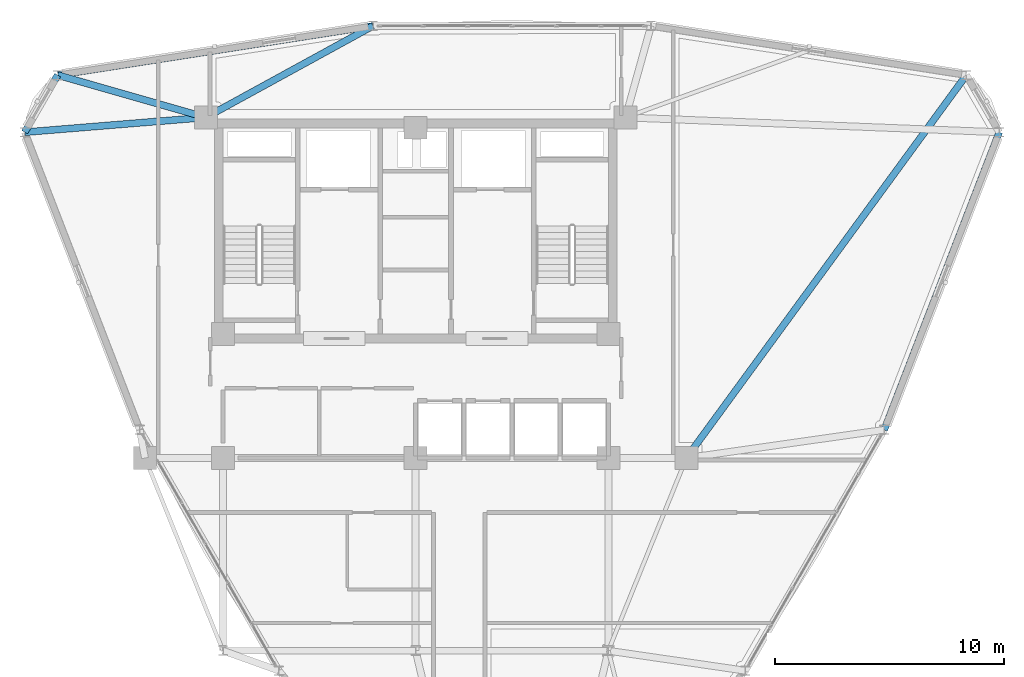
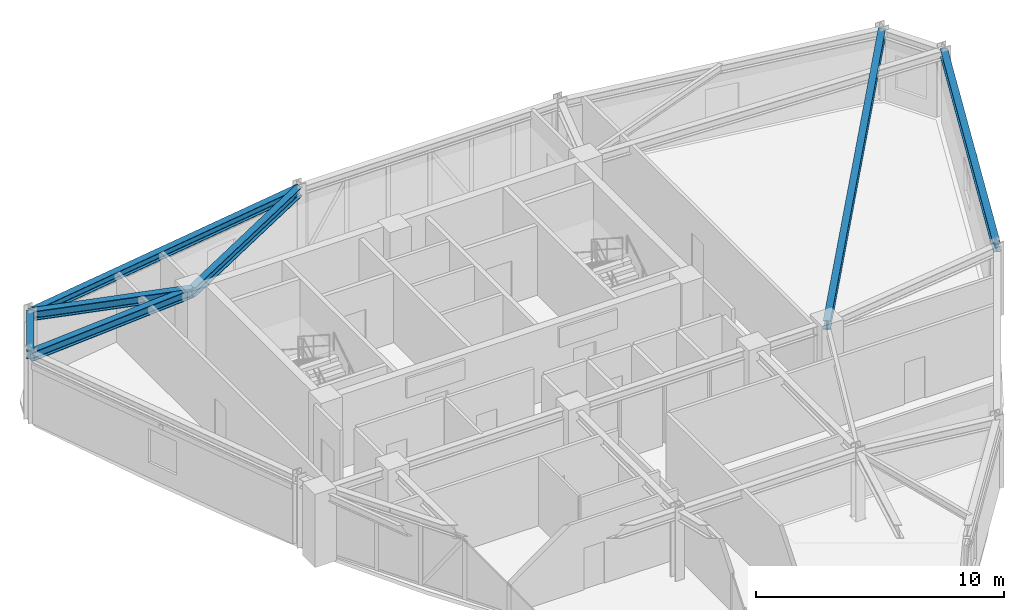
# One storey, part 8 of 16: 7 beams.
"""IFC4 building model written with IfcOpenShell, lengths in metres."""

from ifc_helpers import new_model, si_unit, derived_unit, direction, frame, origin, origin_2d, place, context, subcontext, project, spatial, i_section, extrude, source, transform, mapped, material, material_profile, profile_set, type_object, element, save


model = new_model("IFC4")

# Units and contexts
model_context = context("Model", 3, precision=1e-05, world=origin(), true_north=direction((0.0, 1.0)))
body_context = subcontext(model_context, "Body", "Model", "MODEL_VIEW")
ifc_project = project(units=[si_unit("LENGTHUNIT", "METRE"), si_unit("AREAUNIT", "SQUARE_METRE"), si_unit("VOLUMEUNIT", "CUBIC_METRE"), si_unit("PLANEANGLEUNIT", "RADIAN"), si_unit("MASSUNIT", "GRAM", prefix="KILO"), derived_unit("THERMALTRANSMITTANCEUNIT", [(si_unit("POWERUNIT", "WATT"), 1), (si_unit("LENGTHUNIT", "METRE"), -2), (si_unit("THERMODYNAMICTEMPERATUREUNIT", "KELVIN"), -1)])], contexts=[model_context])

# Site, building, storey
site_placement = place(None, origin())
site = spatial("IfcSite", under=ifc_project, at=site_placement, CompositionType="ELEMENT")
building_placement = place(site_placement, origin())
building = spatial("IfcBuilding", under=site, at=building_placement, Name="Korsvarv Bourse and Concert Hall", CompositionType="ELEMENT")
storey_placement = place(building_placement, frame((0.0, 0.0, 231.0)))
storey = spatial("IfcBuildingStorey", under=building, at=storey_placement, Name="L60", CompositionType="ELEMENT", Elevation=231.0)

# Beams
ifc_material = material(Name="Steel S355", Category="steel")
ifc_material_profile_1 = material_profile(ifc_material, i_section(OverallWidth=0.300048828125, OverallDepth=0.389892578125, WebThickness=0.010986328125, FlangeThickness=0.01904296875, FilletRadius=0.02099609375, at=origin_2d()), Name="HEA 400")
ifc_profile_set_1 = profile_set([ifc_material_profile_1], Name="Steel S355")
beam_type_1 = type_object("IfcBeamType", Name="BM-HEA400", PredefinedType="BEAM", material=ifc_profile_set_1)
shared_shape_1 = source(origin(), body_context, "Body", "SweptSolid", [
    extrude(i_section(OverallWidth=0.300048828125, OverallDepth=0.389892578125, WebThickness=0.010986328125, FlangeThickness=0.01904296875, FilletRadius=0.02099609375, at=origin_2d()), origin(), (0.0, 0.0, 1.0), 13.9130859375),
])
for number, where, z_axis, x_axis, name in (
    (1, (34.13818359375, 51.2412109375, 3.215087890625), (-0.988060495493, -0.154066405314, 0.0), (0.154066405314, -0.988060495493, 0.0), "L60 beam B-11"),
    (2, (56.43017578125, 33.629150390625, 3.215087890625), (0.360601228737, 0.932720083323, 0.0), (-0.932720083323, 0.360601228737, 0.0), "L60 beam B-11"),
):
    element("IfcBeam", number, at=place(storey_placement, frame(where, z_axis=z_axis, x_axis=x_axis)), inside=storey, type_object=beam_type_1, Name=name, PredefinedType="BEAM", context=body_context, shape_type="MappedRepresentation", body=[
        mapped(shared_shape_1, transform((0.0, 0.0, 0.0), scale=1.0)),
    ])
shared_shape_2 = source(origin(), body_context, "Body", "SweptSolid", [
    extrude(i_section(OverallWidth=0.300048828125, OverallDepth=0.389892578125, WebThickness=0.010986328125, FlangeThickness=0.01904296875, FilletRadius=0.02099609375, at=origin_2d()), origin(), (0.0, 0.0, 1.0), 2.876953125),
])
beam_1_placement = place(storey_placement, frame((20.39111328125, 49.09765625, 3.215087890625), z_axis=(-0.500008942529, -0.866020240751, 0.0), x_axis=(0.866020240751, -0.500008942529, 0.0)))
element("IfcBeam", 3, at=beam_1_placement, inside=storey, type_object=beam_type_1, Name="L60 beam B-11", PredefinedType="BEAM", context=body_context, shape_type="MappedRepresentation", body=[
    mapped(shared_shape_2, transform((0.0, 0.0, 0.0), scale=1.0)),
])
ifc_material_profile_2 = material_profile(ifc_material, i_section(OverallWidth=0.300048828125, OverallDepth=0.449951171875, WebThickness=0.013916015625, FlangeThickness=0.02587890625, FilletRadius=0.02099609375, at=origin_2d()), Name="HEB 450")
ifc_profile_set_2 = profile_set([ifc_material_profile_2], Name="Steel S355")
beam_type_2 = type_object("IfcBeamType", Name="BM-HEB450", PredefinedType="SPANDREL", material=ifc_profile_set_2)
shared_shape_3 = source(origin(), body_context, "Body", "SweptSolid", [
    extrude(i_section(OverallWidth=0.300048828125, OverallDepth=0.449951171875, WebThickness=0.013916015625, FlangeThickness=0.02587890625, FilletRadius=0.02099609375, at=origin_2d()), origin(), (0.0, 0.0, 1.0), 20.68505859375),
])
beam_2_placement = place(storey_placement, frame((60.009033203125, 49.09765625, 3.18505859375), z_axis=(-0.590230224022, -0.807234961242, 0.0), x_axis=(0.807234961242, -0.590230224022, 0.0)))
element("IfcBeam", 4, at=beam_2_placement, inside=storey, type_object=beam_type_2, Name="L60 beam B-08", PredefinedType="SPANDREL", context=body_context, shape_type="MappedRepresentation", body=[
    mapped(shared_shape_3, transform((0.0, 0.0, 0.0), scale=1.0)),
])
shared_shape_4 = source(origin(), body_context, "Body", "SweptSolid", [
    extrude(i_section(OverallWidth=0.300048828125, OverallDepth=0.449951171875, WebThickness=0.013916015625, FlangeThickness=0.02587890625, FilletRadius=0.02099609375, at=origin_2d()), origin(), (0.0, 0.0, 1.0), 8.309326171875),
])
beam_3_placement = place(storey_placement, frame((34.13818359375, 51.2412109375, 3.18505859375), z_axis=(-0.877090373578, -0.480325386147, 0.0), x_axis=(0.480325386147, -0.877090373578, 0.0)))
element("IfcBeam", 5, at=beam_3_placement, inside=storey, type_object=beam_type_2, Name="L60 beam B-08", PredefinedType="SPANDREL", context=body_context, shape_type="MappedRepresentation", body=[
    mapped(shared_shape_4, transform((0.0, 0.0, 0.0), scale=1.0)),
])
shared_shape_5 = source(origin(), body_context, "Body", "SweptSolid", [
    extrude(i_section(OverallWidth=0.300048828125, OverallDepth=0.449951171875, WebThickness=0.013916015625, FlangeThickness=0.02587890625, FilletRadius=0.02099609375, at=origin_2d()), origin(), (0.0, 0.0, 1.0), 6.718017578125),
])
beam_4_placement = place(storey_placement, frame((20.39111328125, 49.09765625, 3.18505859375), z_axis=(0.961436131753, -0.275028297744, 0.0), x_axis=(0.275028297744, 0.961436131753, 0.0)))
element("IfcBeam", 6, at=beam_4_placement, inside=storey, type_object=beam_type_2, Name="L60 beam B-08", PredefinedType="SPANDREL", context=body_context, shape_type="MappedRepresentation", body=[
    mapped(shared_shape_5, transform((0.0, 0.0, 0.0), scale=1.0)),
])
shared_shape_6 = source(origin(), body_context, "Body", "SweptSolid", [
    extrude(i_section(OverallWidth=0.300048828125, OverallDepth=0.449951171875, WebThickness=0.013916015625, FlangeThickness=0.02587890625, FilletRadius=0.02099609375, at=origin_2d()), origin(), (0.0, 0.0, 1.0), 7.923583984375),
])
beam_5_placement = place(storey_placement, frame((18.95263671875, 46.606201171875, 3.18505859375), z_axis=(0.996693737026, 0.08125019737, 0.0), x_axis=(-0.08125019737, 0.996693737026, 0.0)))
element("IfcBeam", 7, at=beam_5_placement, inside=storey, type_object=beam_type_2, Name="L60 beam B-08", PredefinedType="SPANDREL", context=body_context, shape_type="MappedRepresentation", body=[
    mapped(shared_shape_6, transform((0.0, 0.0, 0.0), scale=1.0)),
])

save(model, "model.ifc")
